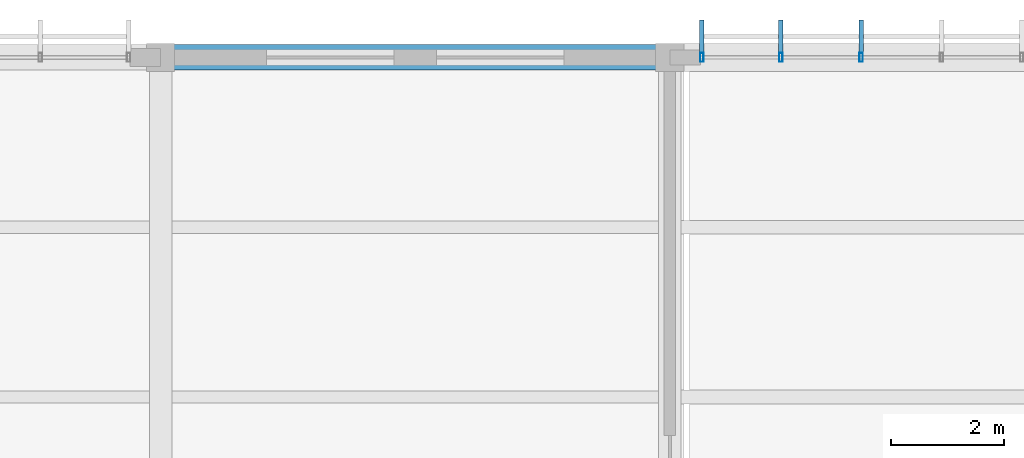
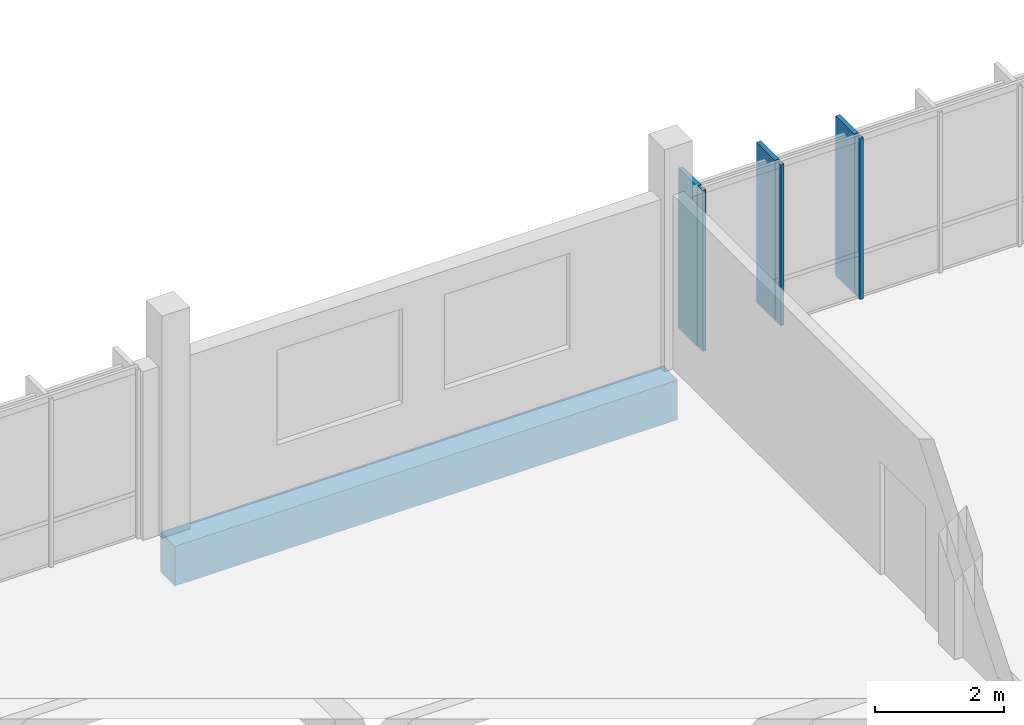
# One storey, part 74 of 107: 6 members, 1 beam, 1 element without a shape of its own.
"""IFC4 building model written with IfcOpenShell, lengths in metres."""

from ifc_helpers import new_model, si_unit, direction, frame, origin, origin_2d, place, context, subcontext, project, spatial, rectangle, hollow_rectangle, extrude, material, material_profile, profile_set, type_object, element, aggregate, save


model = new_model("IFC4")

# Units and contexts
model_context = context("Model", 3, precision=1e-05, world=origin(), true_north=direction((0.0, 1.0)))
body_context = subcontext(model_context, "Body", "Model", "MODEL_VIEW")
ifc_project = project(units=[si_unit("LENGTHUNIT", "METRE"), si_unit("AREAUNIT", "SQUARE_METRE"), si_unit("VOLUMEUNIT", "CUBIC_METRE"), si_unit("PLANEANGLEUNIT", "RADIAN"), si_unit("MASSUNIT", "GRAM", prefix="KILO")], contexts=[model_context])

# Site, building, storey
site_placement = place(None, origin())
site = spatial("IfcSite", under=ifc_project, at=site_placement, CompositionType="ELEMENT")
building_placement = place(site_placement, origin())
building = spatial("IfcBuilding", under=site, at=building_placement, Name="Chiffa Square Polytechnic", CompositionType="ELEMENT")
storey_placement = place(building_placement, frame((0.0, 0.0, 13.800048828125)))
storey = spatial("IfcBuildingStorey", under=building, at=storey_placement, Name="L03", CompositionType="ELEMENT", Elevation=13.800048828125)

# Beam
ifc_material_1 = material(Name="Concrete C35/45", Category="concrete")
ifc_material_profile_1 = material_profile(ifc_material_1, rectangle(XDim=0.449951171875, YDim=0.75, at=origin_2d()), Name="RC 450x750")
ifc_profile_set_1 = profile_set([ifc_material_profile_1], Name="Concrete C35/45")
beam_type = type_object("IfcBeamType", Name="BM-RC-450X750", PredefinedType="BEAM", material=ifc_profile_set_1)
beam_placement = place(storey_placement, frame((102.60009765625, 130.800048828125, -0.635009765625), z_axis=(1.0, 0.0, 0.0), x_axis=(0.0, 1.0, 0.0)))
element("IfcBeam", 1, at=beam_placement, inside=storey, type_object=beam_type, Name="Primary floor girder BM-V5-L03-X-1026-1308", PredefinedType="BEAM", context=body_context, shape_type="SweptSolid", body=[
    extrude(rectangle(XDim=0.449951171875, YDim=0.75, at=origin_2d()), origin(), (0.0, 0.0, 1.0), 9.0),
])

# Curtain wall, members
ifc_material_2 = material(Name="Aluminium EN AW-6060 T66 and glulam shading", Category="wood")
curtain_wall_type = type_object("IfcCurtainWallType", Name="CW-VERT-450X440", PredefinedType="USERDEFINED", material=ifc_material_2)
curtain_wall_placement = place(storey_placement, origin())
curtain_wall = element("IfcCurtainWall", 2, at=curtain_wall_placement, inside=storey, type_object=curtain_wall_type, Name="Curtain wall CW-V5-L03-232", ObjectType="CURTAIN WALL", PredefinedType="USERDEFINED")
ifc_material_3 = material(Name="Aluminium EN AW-6060 T66", Category="aluminium")
ifc_material_profile_2 = material_profile(ifc_material_3, hollow_rectangle(XDim=0.06005859375, YDim=0.159912109375, WallThickness=0.00390625, at=origin_2d()), Name="ALU 60x160x4")
ifc_profile_set_2 = profile_set([ifc_material_profile_2], Name="Aluminium EN AW-6060 T66")
member_type_1 = type_object("IfcMemberType", Name="CWM-ALU-65X150", PredefinedType="MULLION", material=ifc_profile_set_2)
member_1_placement = place(storey_placement, frame((114.97998046875, 130.800048828125, 0.0), z_axis=(0.0, 0.0, 1.0), x_axis=(1.0, 0.0, 0.0)))
member_1 = element("IfcMember", 3, at=member_1_placement, type_object=member_type_1, Name="Curtain wall mullion CW-V5-L03-232-M04", PredefinedType="MULLION", context=body_context, shape_type="SweptSolid", body=[
    extrude(hollow_rectangle(XDim=0.06005859375, YDim=0.159912109375, WallThickness=0.00390625, at=origin_2d()), origin(), (0.0, 0.0, 1.0), 3.044921875),
])
member_2_placement = place(storey_placement, frame((113.56005859375, 130.800048828125, 0.0), z_axis=(0.0, 0.0, 1.0), x_axis=(1.0, 0.0, 0.0)))
member_2 = element("IfcMember", 4, at=member_2_placement, type_object=member_type_1, Name="Curtain wall mullion CW-V5-L03-232-M05", PredefinedType="MULLION", context=body_context, shape_type="SweptSolid", body=[
    extrude(hollow_rectangle(XDim=0.06005859375, YDim=0.159912109375, WallThickness=0.00390625, at=origin_2d()), origin(), (0.0, 0.0, 1.0), 3.044921875),
])
member_3_placement = place(storey_placement, frame((112.1650390625, 130.800048828125, 0.0), z_axis=(0.0, 0.0, 1.0), x_axis=(1.0, 0.0, 0.0)))
member_3 = element("IfcMember", 5, at=member_3_placement, type_object=member_type_1, Name="Curtain wall mullion CW-V5-L03-232-M06", PredefinedType="MULLION", context=body_context, shape_type="SweptSolid", body=[
    extrude(hollow_rectangle(XDim=0.06005859375, YDim=0.159912109375, WallThickness=0.00390625, at=origin_2d()), origin(), (0.0, 0.0, 1.0), 3.044921875),
])
ifc_material_4 = material(Name="Glulam GL28h", Category="wood")
ifc_material_profile_3 = material_profile(ifc_material_4, rectangle(XDim=0.080078125, YDim=0.580078125, at=origin_2d()), Name="GL28h 80x580")
ifc_profile_set_3 = profile_set([ifc_material_profile_3], Name="Glulam GL28h")
member_type_2 = type_object("IfcMemberType", Name="CWM-GL-80X580", PredefinedType="MULLION", material=ifc_profile_set_3)
member_4_placement = place(storey_placement, frame((114.97998046875, 131.172119140625, 0.010009765625), z_axis=(0.0, 0.0, 1.0), x_axis=(-1.0, 0.0, 0.0)))
member_4 = element("IfcMember", 6, at=member_4_placement, type_object=member_type_2, Name="Exterior glulam solar fin CW-V5-L03-232-FN04", PredefinedType="MULLION", context=body_context, shape_type="SweptSolid", body=[
    extrude(rectangle(XDim=0.080078125, YDim=0.580078125, at=origin_2d()), origin(), (0.0, 0.0, 1.0), 3.02490234375),
])
member_5_placement = place(storey_placement, frame((113.56005859375, 131.172119140625, 0.010009765625), z_axis=(0.0, 0.0, 1.0), x_axis=(-1.0, 0.0, 0.0)))
member_5 = element("IfcMember", 7, at=member_5_placement, type_object=member_type_2, Name="Exterior glulam solar fin CW-V5-L03-232-FN05", PredefinedType="MULLION", context=body_context, shape_type="SweptSolid", body=[
    extrude(rectangle(XDim=0.080078125, YDim=0.580078125, at=origin_2d()), origin(), (0.0, 0.0, 1.0), 3.02490234375),
])
member_6_placement = place(storey_placement, frame((112.1650390625, 131.172119140625, 0.010009765625), z_axis=(0.0, 0.0, 1.0), x_axis=(-1.0, 0.0, 0.0)))
member_6 = element("IfcMember", 8, at=member_6_placement, type_object=member_type_2, Name="Exterior glulam solar fin CW-V5-L03-232-FN06", PredefinedType="MULLION", context=body_context, shape_type="SweptSolid", body=[
    extrude(rectangle(XDim=0.080078125, YDim=0.580078125, at=origin_2d()), origin(), (0.0, 0.0, 1.0), 3.02490234375),
])
aggregate(curtain_wall, [member_1, member_4, member_2, member_5, member_3, member_6])

save(model, "model.ifc")
